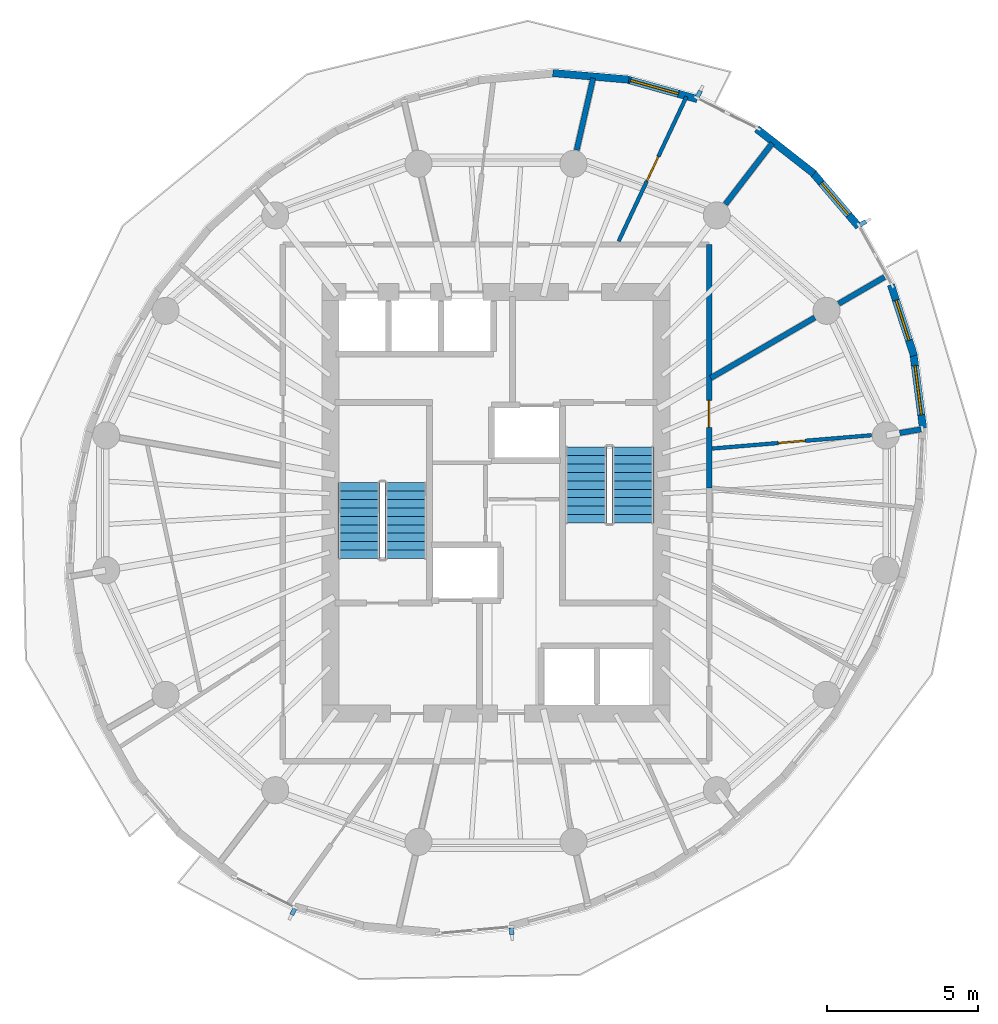
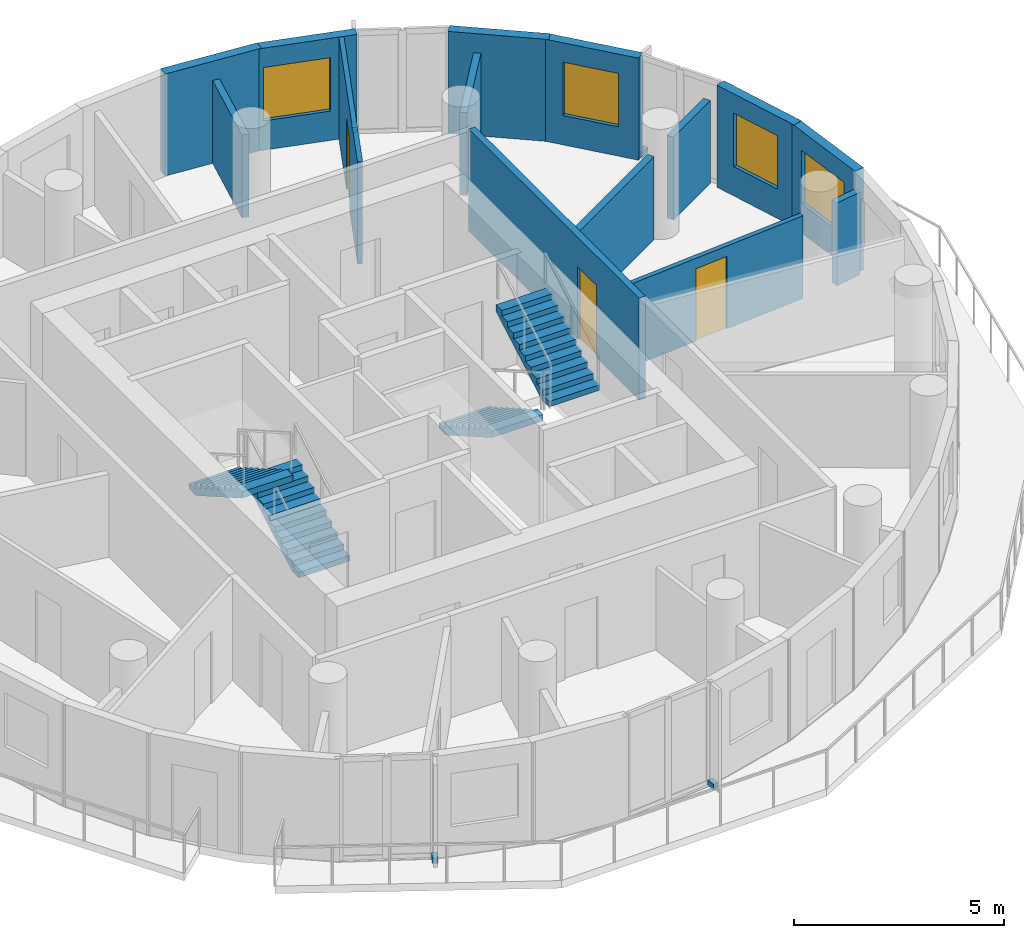
# One storey, part 7 of 10: 14 walls, 4 discrete accessories, 4 stair flights, 4 windows, 3 doors, 7 openings, 2 elements without a shape of their own.
"""IFC4 building model written with IfcOpenShell, lengths in metres."""

from ifc_helpers import new_model, si_unit, direction, frame, frame_2d, origin, origin_2d, place, context, subcontext, project, spatial, polyline, rectangle, outline, extrude, material, layer, layer_set, type_object, element, fill, aggregate, save


model = new_model("IFC4")

# Units and contexts
model_context = context("Model", 3, precision=1e-05, world=origin(), true_north=direction((0.0, 1.0)))
body_context = subcontext(model_context, "Body", "Model", "MODEL_VIEW")
ifc_project = project(units=[si_unit("LENGTHUNIT", "METRE"), si_unit("AREAUNIT", "SQUARE_METRE"), si_unit("VOLUMEUNIT", "CUBIC_METRE"), si_unit("PLANEANGLEUNIT", "RADIAN"), si_unit("MASSUNIT", "GRAM", prefix="KILO")], contexts=[model_context])

# Site, building, storey
site_placement = place(None, origin())
site = spatial("IfcSite", under=ifc_project, at=site_placement, CompositionType="ELEMENT")
building_placement = place(site_placement, origin())
building = spatial("IfcBuilding", under=site, at=building_placement, Name="Veldorim Arch Residences", CompositionType="ELEMENT")
storey_placement = place(building_placement, frame((0.0, 0.0, 185.43994140625)))
storey = spatial("IfcBuildingStorey", under=building, at=storey_placement, Name="L55", CompositionType="ELEMENT", Elevation=185.43994140625)

# Wall, opening, door
ifc_material_1 = material(Name="Acoustic Gypsum Board", Category="gypsum")
ifc_layer_1 = layer(ifc_material_1, 0.125, Name="Acoustic Stud Room Partition Wall 125")
ifc_layer_set_1 = layer_set([ifc_layer_1], Name="Acoustic Gypsum Board")
wall_type_1 = type_object("IfcWallType", Name="Acoustic Stud Room Partition Wall 125", PredefinedType="PARTITIONING", material=ifc_layer_set_1)
wall_1_placement = place(storey_placement, frame((44.46826171875, 26.244140625, 0.0), z_axis=(0.0, 0.0, 1.0), x_axis=(-0.996538774807, -0.083129238578, 0.0)))
wall_1 = element("IfcWall", 1, at=wall_1_placement, inside=storey, type_object=wall_type_1, Name="L55 interior wall WL-RES-L55-008", PredefinedType="PARTITIONING", context=body_context, shape_type="SweptSolid", body=[
    extrude(rectangle(XDim=5.306884765625, YDim=0.125, at=frame_2d((2.6533203125, 0.0))), origin(), (0.0, 0.0, 1.0), 2.403564453125),
])
opening_1_placement = place(wall_1_placement, frame((2.20361328125, 0.0, 0.0)))
opening_1 = element("IfcOpeningElement", 2, at=opening_1_placement, cuts=wall_1, Name="Opening DR-SVC", PredefinedType="OPENING", context=body_context, shape_type="SweptSolid", body=[
    extrude(rectangle(XDim=0.89990234375, YDim=2.10009765625, at=frame_2d((0.449951171875, 1.050048828125))), frame((0.0, 0.072509765625, 0.0), z_axis=(0.0, -1.0, 0.0), x_axis=(1.0, 0.0, 0.0)), (0.0, 0.0, 1.0), 0.14501953125),
])
ifc_material_2 = material(Name="Fire-Rated Steel", Category="steel")
door_type_1 = type_object("IfcDoorType", Name="Riser, Shelter & Plant Room Rated Steel Door 900x2100", OperationType="SINGLE_SWING_LEFT", PredefinedType="DOOR", material=ifc_material_2)
door_1_placement = place(opening_1_placement, origin())
door_1 = element("IfcDoor", 3, at=door_1_placement, inside=storey, type_object=door_type_1, Name="L55 interior door DR-RES-L55-006", OperationType="SINGLE_SWING_RIGHT", OverallHeight=2.10009765625, OverallWidth=0.89990234375, PredefinedType="DOOR", context=body_context, shape_type="SweptSolid", body=[
    extrude(rectangle(XDim=0.89990234375, YDim=2.10009765625, at=frame_2d((0.449951171875, 1.050048828125))), frame((0.0, 0.02490234375, 0.0), z_axis=(0.0, -1.0, 0.0), x_axis=(1.0, 0.0, 0.0)), (0.0, 0.0, 1.0), 0.050048828125),
])
fill(opening_1, door_1)

wall_2_placement = place(storey_placement, frame((38.327880859375, 37.49560546875, 0.0), z_axis=(0.0, 0.0, 1.0), x_axis=(-0.424538730781, -0.905409777983, 0.0)))
wall_2 = element("IfcWall", 4, at=wall_2_placement, inside=storey, type_object=wall_type_1, Name="L55 interior wall WL-RES-L55-016", PredefinedType="PARTITIONING", context=body_context, shape_type="SweptSolid", body=[
    extrude(rectangle(XDim=5.30908203125, YDim=0.125, at=frame_2d((2.654541015625, 0.0))), origin(), (0.0, 0.0, 1.0), 2.955078125),
])
opening_2_placement = place(wall_2_placement, frame((2.20458984375, 0.0, 0.0)))
opening_2 = element("IfcOpeningElement", 5, at=opening_2_placement, cuts=wall_2, Name="Opening DR-INT", PredefinedType="OPENING", context=body_context, shape_type="SweptSolid", body=[
    extrude(rectangle(XDim=0.89990234375, YDim=2.10009765625, at=frame_2d((0.449951171875, 1.050048828125))), frame((0.0, 0.072509765625, 0.0), z_axis=(0.0, -1.0, 0.0), x_axis=(1.0, 0.0, 0.0)), (0.0, 0.0, 1.0), 0.14501953125),
])
ifc_material_3 = material(Name="Engineered Timber", Category="wood")
door_type_2 = type_object("IfcDoorType", Name="Apartment Internal Room Timber Door 900x2100", OperationType="SINGLE_SWING_LEFT", PredefinedType="DOOR", material=ifc_material_3)
door_2_placement = place(opening_2_placement, origin())
door_2 = element("IfcDoor", 6, at=door_2_placement, inside=storey, type_object=door_type_2, Name="L55 interior door DR-RES-L55-009", OperationType="SINGLE_SWING_LEFT", OverallHeight=2.10009765625, OverallWidth=0.89990234375, PredefinedType="DOOR", context=body_context, shape_type="SweptSolid", body=[
    extrude(rectangle(XDim=0.89990234375, YDim=2.10009765625, at=frame_2d((0.449951171875, 1.050048828125))), frame((0.0, 0.02490234375, 0.0), z_axis=(0.0, -1.0, 0.0), x_axis=(1.0, 0.0, 0.0)), (0.0, 0.0, 1.0), 0.050048828125),
])
fill(opening_2, door_2)

# Walls
ifc_material_4 = material(Name="Lightweight Masonry Block & Gypsum", Category="masonry")
ifc_layer_2 = layer(ifc_material_4, 0.179931640625, Name="Compartment & Corridor Fire-Rated Party Wall 180")
ifc_layer_set_2 = layer_set([ifc_layer_2], Name="Lightweight Masonry Block & Gypsum")
wall_type_2 = type_object("IfcWallType", Name="Compartment & Corridor Fire-Rated Party Wall 180", PredefinedType="PARTITIONING", material=ifc_layer_set_2)
wall_3_placement = place(storey_placement, frame((45.409423828125, 26.319580078125, 0.0), z_axis=(0.0, 0.0, 1.0), x_axis=(0.985336223431, 0.170623933826, 0.0)))
element("IfcWall", 7, at=wall_3_placement, inside=storey, type_object=wall_type_2, Name="L55 interior wall WL-PIER-L55-01", PredefinedType="PARTITIONING", context=body_context, shape_type="SweptSolid", body=[
    extrude(rectangle(XDim=0.71826171875, YDim=0.179931640625, at=frame_2d((0.359130859375, 0.0))), origin(), (0.0, 0.0, 1.0), 2.403564453125),
])
wall_4_placement = place(storey_placement, frame((43.3818359375, 30.614013671875, 0.0), z_axis=(0.0, 0.0, 1.0), x_axis=(0.86461381872, 0.502437005482, 0.0)))
element("IfcWall", 8, at=wall_4_placement, inside=storey, type_object=wall_type_2, Name="L55 interior wall WL-PIER-L55-02", PredefinedType="PARTITIONING", context=body_context, shape_type="SweptSolid", body=[
    extrude(rectangle(XDim=1.758056640625, YDim=0.179931640625, at=frame_2d((0.87890625, 0.0))), origin(), (0.0, 0.0, 1.0), 2.403564453125),
])
wall_5_placement = place(storey_placement, frame((39.619873046875, 33.91796875, 0.0), z_axis=(0.0, 0.0, 1.0), x_axis=(0.609249164273, 0.792978849549, 0.0)))
element("IfcWall", 9, at=wall_5_placement, inside=storey, type_object=wall_type_2, Name="L55 interior wall WL-PIER-L55-03", PredefinedType="PARTITIONING", context=body_context, shape_type="SweptSolid", body=[
    extrude(rectangle(XDim=2.556640625, YDim=0.179931640625, at=frame_2d((1.2783203125, 0.0))), origin(), (0.0, 0.0, 1.0), 2.403564453125),
])
wall_6_placement = place(storey_placement, frame((34.679931640625, 35.717529296875, 0.0), z_axis=(0.0, 0.0, 1.0), x_axis=(0.222943921747, 0.974831271429, 0.0)))
element("IfcWall", 10, at=wall_6_placement, inside=storey, type_object=wall_type_2, Name="L55 interior wall WL-PIER-L55-04", PredefinedType="PARTITIONING", context=body_context, shape_type="SweptSolid", body=[
    extrude(rectangle(XDim=2.448486328125, YDim=0.179931640625, at=frame_2d((1.22412109375, 0.0))), origin(), (0.0, 0.0, 1.0), 2.403564453125),
])

# Wall, opening, door
wall_7_placement = place(storey_placement, frame((39.080078125, 32.580078125, 0.0), z_axis=(0.0, 0.0, 1.0), x_axis=(0.0, -1.0, 0.0)))
wall_7 = element("IfcWall", 11, at=wall_7_placement, inside=storey, type_object=wall_type_2, Name="L55 interior wall WL-RES-L55-001", PredefinedType="PARTITIONING", context=body_context, shape_type="SweptSolid", body=[
    extrude(rectangle(XDim=8.093994140625, YDim=0.179931640625, at=frame_2d((4.046875, 0.0))), origin(), (0.0, 0.0, 1.0), 2.955078125),
])
opening_3_placement = place(wall_7_placement, frame((5.174072265625, 0.0, 0.0)))
opening_3 = element("IfcOpeningElement", 12, at=opening_3_placement, cuts=wall_7, Name="Opening DR-SVC", PredefinedType="OPENING", context=body_context, shape_type="SweptSolid", body=[
    extrude(rectangle(XDim=0.89990234375, YDim=2.10009765625, at=frame_2d((0.449951171875, 1.050048828125))), frame((0.0, 0.099853515625, 0.0), z_axis=(0.0, -1.0, 0.0), x_axis=(1.0, 0.0, 0.0)), (0.0, 0.0, 1.0), 0.199951171875),
])
door_3_placement = place(opening_3_placement, origin())
door_3 = element("IfcDoor", 13, at=door_3_placement, inside=storey, type_object=door_type_1, Name="L55 interior door DR-RES-L55-001", OperationType="SINGLE_SWING_LEFT", OverallHeight=2.10009765625, OverallWidth=0.89990234375, PredefinedType="DOOR", context=body_context, shape_type="SweptSolid", body=[
    extrude(rectangle(XDim=0.89990234375, YDim=2.10009765625, at=frame_2d((0.449951171875, 1.050048828125))), frame((0.0, 0.02490234375, 0.0), z_axis=(0.0, -1.0, 0.0), x_axis=(1.0, 0.0, 0.0)), (0.0, 0.0, 1.0), 0.050048828125),
])
fill(opening_3, door_3)

# Walls
wall_8_placement = place(storey_placement, frame((39.1318359375, 28.144287109375, 0.0), z_axis=(0.0, 0.0, 1.0), x_axis=(0.864597268714, 0.502465484319, 0.0)))
element("IfcWall", 14, at=wall_8_placement, inside=storey, type_object=wall_type_2, Name="L55 interior wall WL-RES-L55-009", PredefinedType="PARTITIONING", context=body_context, shape_type="SweptSolid", body=[
    extrude(rectangle(XDim=3.997802734375, YDim=0.179931640625, at=frame_2d((1.9990234375, 0.0))), origin(), (0.0, 0.0, 1.0), 2.403564453125),
])
ifc_material_5 = material(Name="Precast concrete C40/50", Category="concrete")
ifc_layer_3 = layer(ifc_material_5, 0.25, Name="Tower Terracotta Spandrel & Pier Wall 250")
ifc_layer_set_3 = layer_set([ifc_layer_3], Name="Precast concrete C40/50")
wall_type_3 = type_object("IfcWallType", Name="Tower Terracotta Spandrel & Pier Wall 250", PredefinedType="SOLIDWALL", material=ifc_layer_set_3)
wall_9_placement = place(storey_placement, frame((40.66064453125, 36.419677734375, 0.0), z_axis=(0.0, 0.0, 1.0), x_axis=(0.787404715416, -0.616436382883, 0.0)))
element("IfcWall", 15, at=wall_9_placement, inside=storey, type_object=wall_type_3, Name="L55 terracotta facade wall 01", PredefinedType="SOLIDWALL", context=body_context, shape_type="SweptSolid", body=[
    extrude(rectangle(XDim=2.414794921875, YDim=0.25, at=frame_2d((1.20751953125, 0.0))), origin(), (0.0, 0.0, 1.0), 2.9599609375),
])

# Wall, opening, window
wall_10_placement = place(storey_placement, frame((36.29931640625, 38.077392578125, 0.0), z_axis=(0.0, 0.0, 1.0), x_axis=(0.96316841201, -0.26889888454, 0.0)))
wall_10 = element("IfcWall", 16, at=wall_10_placement, inside=storey, type_object=wall_type_3, Name="L55 terracotta facade wall 03", PredefinedType="SOLIDWALL", context=body_context, shape_type="SweptSolid", body=[
    extrude(rectangle(XDim=2.477783203125, YDim=0.25, at=frame_2d((1.23876953125, 0.0))), origin(), (0.0, 0.0, 1.0), 2.9599609375),
])
opening_4_placement = place(wall_10_placement, frame((0.175048828125, 0.0, 0.85009765625)))
opening_4 = element("IfcOpeningElement", 17, at=opening_4_placement, cuts=wall_10, Name="Opening WN-03", PredefinedType="OPENING", context=body_context, shape_type="SweptSolid", body=[
    extrude(rectangle(XDim=1.64990234375, YDim=1.550048828125, at=frame_2d((0.824951171875, 0.77490234375))), frame((0.0, 0.135009765625, 0.0), z_axis=(0.0, -1.0, 0.0), x_axis=(1.0, 0.0, 0.0)), (0.0, 0.0, 1.0), 0.27001953125),
])
ifc_material_6 = material(Name="Laminated Low-E Glass", Category="glass")
window_type_1 = type_object("IfcWindowType", Name="Residential Wide Window 1650x1550", PartitioningType="SINGLE_PANEL", PredefinedType="WINDOW", material=ifc_material_6)
window_1_placement = place(opening_4_placement, origin())
window_1 = element("IfcWindow", 18, at=window_1_placement, inside=storey, type_object=window_type_1, Name="L55 solar-control facade window 03", OverallHeight=1.550048828125, OverallWidth=1.64990234375, PartitioningType="SINGLE_PANEL", PredefinedType="WINDOW", context=body_context, shape_type="SweptSolid", body=[
    extrude(rectangle(XDim=1.64990234375, YDim=1.550048828125, at=frame_2d((0.824951171875, 0.77490234375))), frame((0.0, 0.030029296875, 0.0), z_axis=(0.0, -1.0, 0.0), x_axis=(1.0, 0.0, 0.0)), (0.0, 0.0, 1.0), 0.06005859375),
])
fill(opening_4, window_1)

# Wall
wall_11_placement = place(storey_placement, frame((33.8876953125, 38.27587890625, 0.0), z_axis=(0.0, 0.0, 1.0), x_axis=(0.996260822813, -0.08639660252, 0.0)))
element("IfcWall", 19, at=wall_11_placement, inside=storey, type_object=wall_type_3, Name="L55 terracotta facade wall 04", PredefinedType="SOLIDWALL", context=body_context, shape_type="SweptSolid", body=[
    extrude(rectangle(XDim=2.531982421875, YDim=0.25, at=frame_2d((1.26611328125, 0.0))), origin(), (0.0, 0.0, 1.0), 2.9599609375),
])

# Wall, opening, window
wall_12_placement = place(storey_placement, frame((45.860107421875, 28.994873046875, 0.0), z_axis=(0.0, 0.0, 1.0), x_axis=(0.128057007482, -0.991766808698, 0.0)))
wall_12 = element("IfcWall", 20, at=wall_12_placement, inside=storey, type_object=wall_type_3, Name="L55 terracotta facade wall 33", PredefinedType="SOLIDWALL", context=body_context, shape_type="SweptSolid", body=[
    extrude(rectangle(XDim=2.53173828125, YDim=0.25, at=frame_2d((1.265869140625, 0.0))), origin(), (0.0, 0.0, 1.0), 2.9599609375),
])
opening_5_placement = place(wall_12_placement, frame((0.44091796875, 0.0, 0.85009765625)))
opening_5 = element("IfcOpeningElement", 21, at=opening_5_placement, cuts=wall_12, Name="Opening WN-03", PredefinedType="OPENING", context=body_context, shape_type="SweptSolid", body=[
    extrude(rectangle(XDim=1.64990234375, YDim=1.550048828125, at=frame_2d((0.824951171875, 0.77490234375))), frame((0.0, 0.135009765625, 0.0), z_axis=(0.0, -1.0, 0.0), x_axis=(1.0, 0.0, 0.0)), (0.0, 0.0, 1.0), 0.27001953125),
])
window_2_placement = place(opening_5_placement, origin())
window_2 = element("IfcWindow", 22, at=window_2_placement, inside=storey, type_object=window_type_1, Name="L55 solar-control facade window 33", OverallHeight=1.550048828125, OverallWidth=1.64990234375, PartitioningType="SINGLE_PANEL", PredefinedType="WINDOW", context=body_context, shape_type="SweptSolid", body=[
    extrude(rectangle(XDim=1.64990234375, YDim=1.550048828125, at=frame_2d((0.824951171875, 0.77490234375))), frame((0.0, 0.030029296875, 0.0), z_axis=(0.0, -1.0, 0.0), x_axis=(1.0, 0.0, 0.0)), (0.0, 0.0, 1.0), 0.06005859375),
])
fill(opening_5, window_2)

wall_13_placement = place(storey_placement, frame((45.119384765625, 31.241455078125, 0.0), z_axis=(0.0, 0.0, 1.0), x_axis=(0.309005861828, -0.951060133407, 0.0)))
wall_13 = element("IfcWall", 23, at=wall_13_placement, inside=storey, type_object=wall_type_3, Name="L55 terracotta facade wall 34", PredefinedType="SOLIDWALL", context=body_context, shape_type="SweptSolid", body=[
    extrude(rectangle(XDim=2.477783203125, YDim=0.25, at=frame_2d((1.23876953125, 0.0))), origin(), (0.0, 0.0, 1.0), 2.9599609375),
])
opening_6_placement = place(wall_13_placement, frame((0.5390625, 0.0, 0.85009765625)))
opening_6 = element("IfcOpeningElement", 24, at=opening_6_placement, cuts=wall_13, Name="Opening WN-02", PredefinedType="OPENING", context=body_context, shape_type="SweptSolid", body=[
    extrude(rectangle(XDim=1.39990234375, YDim=1.550048828125, at=frame_2d((0.699951171875, 0.77490234375))), frame((0.0, 0.135009765625, 0.0), z_axis=(0.0, -1.0, 0.0), x_axis=(1.0, 0.0, 0.0)), (0.0, 0.0, 1.0), 0.27001953125),
])
ifc_material_7 = material(Name="Laminated Low-E Glass", Category="glass")
window_type_2 = type_object("IfcWindowType", Name="Residential Casement Window 1400x1550", PartitioningType="SINGLE_PANEL", PredefinedType="WINDOW", material=ifc_material_7)
window_3_placement = place(opening_6_placement, origin())
window_3 = element("IfcWindow", 25, at=window_3_placement, inside=storey, type_object=window_type_2, Name="L55 solar-control facade window 34", OverallHeight=1.550048828125, OverallWidth=1.39990234375, PartitioningType="SINGLE_PANEL", PredefinedType="WINDOW", context=body_context, shape_type="SweptSolid", body=[
    extrude(rectangle(XDim=1.39990234375, YDim=1.550048828125, at=frame_2d((0.699951171875, 0.77490234375))), frame((0.0, 0.030029296875, 0.0), z_axis=(0.0, -1.0, 0.0), x_axis=(1.0, 0.0, 0.0)), (0.0, 0.0, 1.0), 0.06005859375),
])
fill(opening_6, window_3)

wall_14_placement = place(storey_placement, frame((42.479248046875, 35.010498046875, 0.0), z_axis=(0.0, 0.0, 1.0), x_axis=(0.648874307696, -0.760895612297, 0.0)))
wall_14 = element("IfcWall", 26, at=wall_14_placement, inside=storey, type_object=wall_type_3, Name="L55 terracotta facade wall 36", PredefinedType="SOLIDWALL", context=body_context, shape_type="SweptSolid", body=[
    extrude(rectangle(XDim=2.414794921875, YDim=0.25, at=frame_2d((1.20751953125, 0.0))), origin(), (0.0, 0.0, 1.0), 2.9599609375),
])
opening_7_placement = place(wall_14_placement, frame((0.507080078125, 0.0, 0.85009765625)))
opening_7 = element("IfcOpeningElement", 27, at=opening_7_placement, cuts=wall_14, Name="Opening WN-02", PredefinedType="OPENING", context=body_context, shape_type="SweptSolid", body=[
    extrude(rectangle(XDim=1.39990234375, YDim=1.550048828125, at=frame_2d((0.699951171875, 0.77490234375))), frame((0.0, 0.135009765625, 0.0), z_axis=(0.0, -1.0, 0.0), x_axis=(1.0, 0.0, 0.0)), (0.0, 0.0, 1.0), 0.27001953125),
])
window_4_placement = place(opening_7_placement, origin())
window_4 = element("IfcWindow", 28, at=window_4_placement, inside=storey, type_object=window_type_2, Name="L55 solar-control facade window 36", OverallHeight=1.550048828125, OverallWidth=1.39990234375, PartitioningType="SINGLE_PANEL", PredefinedType="WINDOW", context=body_context, shape_type="SweptSolid", body=[
    extrude(rectangle(XDim=1.39990234375, YDim=1.550048828125, at=frame_2d((0.699951171875, 0.77490234375))), frame((0.0, 0.030029296875, 0.0), z_axis=(0.0, -1.0, 0.0), x_axis=(1.0, 0.0, 0.0)), (0.0, 0.0, 1.0), 0.06005859375),
])
fill(opening_7, window_4)

# Stair, stair flights
ifc_material_8 = material(Name="Concrete C40/50", Category="concrete")
stair_type = type_object("IfcStairType", Name="Reinforced Concrete Dogleg Exit Staircase", PredefinedType="HALF_TURN_STAIR", material=ifc_material_8)
stair_1_placement = place(storey_placement, origin())
stair_1 = element("IfcStair", 29, at=stair_1_placement, inside=storey, type_object=stair_type, Name="L55 Exit Staircase ST-1", PredefinedType="HALF_TURN_STAIR")
ifc_material_9 = material(Name="Concrete C40/50", Category="concrete")
stair_flight_type = type_object("IfcStairFlightType", Name="Reinforced Concrete Stair Flight 1400", PredefinedType="STRAIGHT", material=ifc_material_9)
stair_flight_1_placement = place(storey_placement, frame((29.010009765625, 22.14990234375, 0.0), z_axis=(0.0, 0.0, 1.0), x_axis=(0.0, 1.0, 0.0)))
stair_flight_1 = element("IfcStairFlight", 30, at=stair_flight_1_placement, type_object=stair_flight_type, Name="ST-1 flight 1", NumberOfRisers=10, NumberOfTreads=9, PredefinedType="STRAIGHT", RiserHeight=0.16, TreadLength=0.28, context=body_context, shape_type="SweptSolid", body=[
    extrude(outline(polyline([(0.0, 0.0), (0.0, 0.159912109375), (0.280029296875, 0.159912109375), (0.280029296875, 0.320068359375), (0.56005859375, 0.320068359375), (0.56005859375, 0.47998046875), (0.840087890625, 0.47998046875), (0.840087890625, 0.639892578125), (1.1201171875, 0.639892578125), (1.1201171875, 0.800048828125), (1.39990234375, 0.800048828125), (1.39990234375, 0.9599609375), (1.679931640625, 0.9599609375), (1.679931640625, 1.1201171875), (1.9599609375, 1.1201171875), (1.9599609375, 1.280029296875), (2.239990234375, 1.280029296875), (2.239990234375, 1.43994140625), (2.52001953125, 1.43994140625), (2.52001953125, 1.60009765625), (2.52001953125, 1.255859375), (0.322265625, 0.0), (0.0, 0.0)])), frame((0.0, 0.699951171875, 0.0), z_axis=(0.0, -1.0, 0.0), x_axis=(1.0, 0.0, 0.0)), (0.0, 0.0, 1.0), 1.39990234375),
])
stair_flight_2_placement = place(storey_placement, frame((27.449951171875, 24.669921875, 1.60009765625), z_axis=(0.0, 0.0, 1.0), x_axis=(0.0, -1.0, 0.0)))
stair_flight_2 = element("IfcStairFlight", 31, at=stair_flight_2_placement, type_object=stair_flight_type, Name="ST-1 flight 2", NumberOfRisers=10, NumberOfTreads=9, PredefinedType="STRAIGHT", RiserHeight=0.16, TreadLength=0.28, context=body_context, shape_type="SweptSolid", body=[
    extrude(outline(polyline([(0.0, 0.0), (0.0, 0.159912109375), (0.280029296875, 0.159912109375), (0.280029296875, 0.320068359375), (0.56005859375, 0.320068359375), (0.56005859375, 0.47998046875), (0.840087890625, 0.47998046875), (0.840087890625, 0.639892578125), (1.1201171875, 0.639892578125), (1.1201171875, 0.800048828125), (1.39990234375, 0.800048828125), (1.39990234375, 0.9599609375), (1.679931640625, 0.9599609375), (1.679931640625, 1.1201171875), (1.9599609375, 1.1201171875), (1.9599609375, 1.280029296875), (2.239990234375, 1.280029296875), (2.239990234375, 1.43994140625), (2.52001953125, 1.43994140625), (2.52001953125, 1.60009765625), (2.52001953125, 1.255859375), (0.322265625, 0.0), (0.0, 0.0)])), frame((0.0, 0.699951171875, 0.0), z_axis=(0.0, -1.0, 0.0), x_axis=(1.0, 0.0, 0.0)), (0.0, 0.0, 1.0), 1.39990234375),
])
aggregate(stair_1, [stair_flight_1, stair_flight_2])

stair_2_placement = place(storey_placement, origin())
stair_2 = element("IfcStair", 32, at=stair_2_placement, inside=storey, type_object=stair_type, Name="L55 Exit Staircase ST-2", PredefinedType="HALF_TURN_STAIR")
stair_flight_3_placement = place(storey_placement, frame((34.989990234375, 25.85009765625, 0.0), z_axis=(0.0, 0.0, 1.0), x_axis=(0.0, -1.0, 0.0)))
stair_flight_3 = element("IfcStairFlight", 33, at=stair_flight_3_placement, type_object=stair_flight_type, Name="ST-2 flight 1", NumberOfRisers=10, NumberOfTreads=9, PredefinedType="STRAIGHT", RiserHeight=0.16, TreadLength=0.28, context=body_context, shape_type="SweptSolid", body=[
    extrude(outline(polyline([(0.0, 0.0), (0.0, 0.159912109375), (0.280029296875, 0.159912109375), (0.280029296875, 0.320068359375), (0.56005859375, 0.320068359375), (0.56005859375, 0.47998046875), (0.840087890625, 0.47998046875), (0.840087890625, 0.639892578125), (1.1201171875, 0.639892578125), (1.1201171875, 0.800048828125), (1.39990234375, 0.800048828125), (1.39990234375, 0.9599609375), (1.679931640625, 0.9599609375), (1.679931640625, 1.1201171875), (1.9599609375, 1.1201171875), (1.9599609375, 1.280029296875), (2.239990234375, 1.280029296875), (2.239990234375, 1.43994140625), (2.52001953125, 1.43994140625), (2.52001953125, 1.60009765625), (2.52001953125, 1.255859375), (0.322265625, 0.0), (0.0, 0.0)])), frame((0.0, 0.699951171875, 0.0), z_axis=(0.0, -1.0, 0.0), x_axis=(1.0, 0.0, 0.0)), (0.0, 0.0, 1.0), 1.39990234375),
])
stair_flight_4_placement = place(storey_placement, frame((36.550048828125, 23.330078125, 1.60009765625), z_axis=(0.0, 0.0, 1.0), x_axis=(0.0, 1.0, 0.0)))
stair_flight_4 = element("IfcStairFlight", 34, at=stair_flight_4_placement, type_object=stair_flight_type, Name="ST-2 flight 2", NumberOfRisers=10, NumberOfTreads=9, PredefinedType="STRAIGHT", RiserHeight=0.16, TreadLength=0.28, context=body_context, shape_type="SweptSolid", body=[
    extrude(outline(polyline([(0.0, 0.0), (0.0, 0.159912109375), (0.280029296875, 0.159912109375), (0.280029296875, 0.320068359375), (0.56005859375, 0.320068359375), (0.56005859375, 0.47998046875), (0.840087890625, 0.47998046875), (0.840087890625, 0.639892578125), (1.1201171875, 0.639892578125), (1.1201171875, 0.800048828125), (1.39990234375, 0.800048828125), (1.39990234375, 0.9599609375), (1.679931640625, 0.9599609375), (1.679931640625, 1.1201171875), (1.9599609375, 1.1201171875), (1.9599609375, 1.280029296875), (2.239990234375, 1.280029296875), (2.239990234375, 1.43994140625), (2.52001953125, 1.43994140625), (2.52001953125, 1.60009765625), (2.52001953125, 1.255859375), (0.322265625, 0.0), (0.0, 0.0)])), frame((0.0, 0.699951171875, 0.0), z_axis=(0.0, -1.0, 0.0), x_axis=(1.0, 0.0, 0.0)), (0.0, 0.0, 1.0), 1.39990234375),
])
aggregate(stair_2, [stair_flight_3, stair_flight_4])

# Discrete accessories
ifc_material_10 = material(Name="Stainless Steel", Category="steel")
discrete_accessory_type = type_object("IfcDiscreteAccessoryType", Name="Stainless Steel Facade Fin Anchor Bracket", PredefinedType="BRACKET", material=ifc_material_10)
for number, where, z_axis, x_axis, name in (
    (35, (38.7353515625, 37.578369140625, -0.02001953125), (0.0, 0.0, 1.0), (0.893606528733, -0.448851168881, 0.0), "L55 stainless fin anchor bracket 02"),
    (36, (25.2646484375, 10.421630859375, -0.02001953125), (0.0, 0.0, 1.0), (-0.893606528733, 0.448851168881, 0.0), "L55 stainless fin anchor bracket 20"),
    (37, (32.5166015625, 9.769287109375, -0.02001953125), (0.0, 0.0, 1.0), (-0.995900201817, -0.090458764201, 0.0), "L55 stainless fin anchor bracket 23"),
    (38, (44.180419921875, 33.28369140625, -0.02001953125), (0.0, 0.0, 1.0), (0.485877807712, -0.874026747859, 0.0), "L55 stainless fin anchor bracket 35"),
):
    element("IfcDiscreteAccessory", number, at=place(storey_placement, frame(where, z_axis=z_axis, x_axis=x_axis)), inside=storey, type_object=discrete_accessory_type, Name=name, PredefinedType="BRACKET", context=body_context, shape_type="SweptSolid", body=[
        extrude(rectangle(XDim=0.139892578125, YDim=0.239990234375, at=origin_2d()), origin(), (0.0, 0.0, 1.0), 0.159912109375),
    ])

save(model, "model.ifc")
